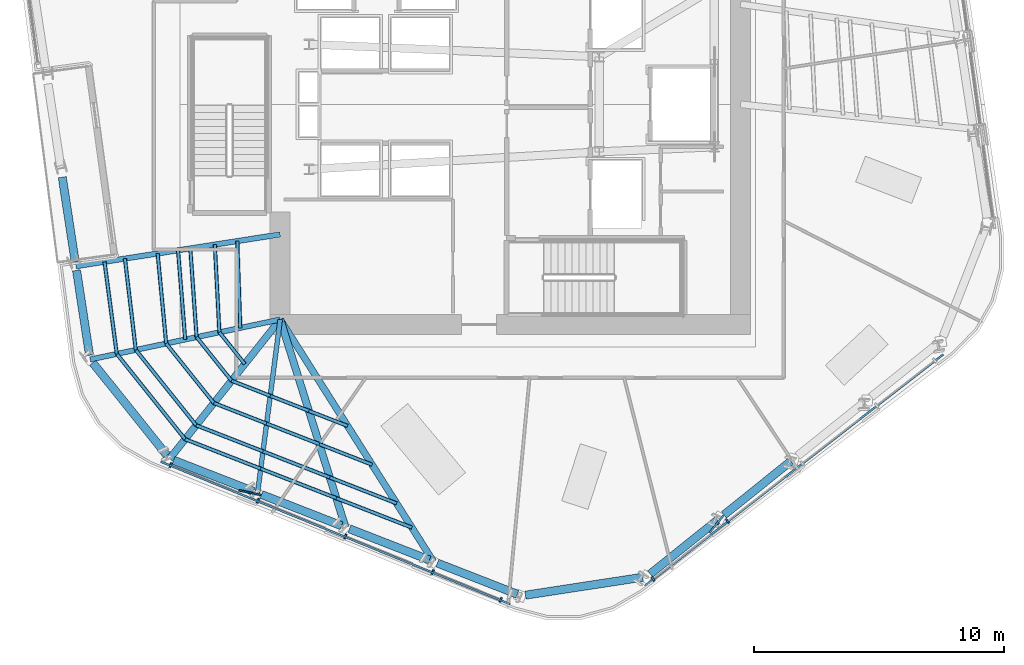
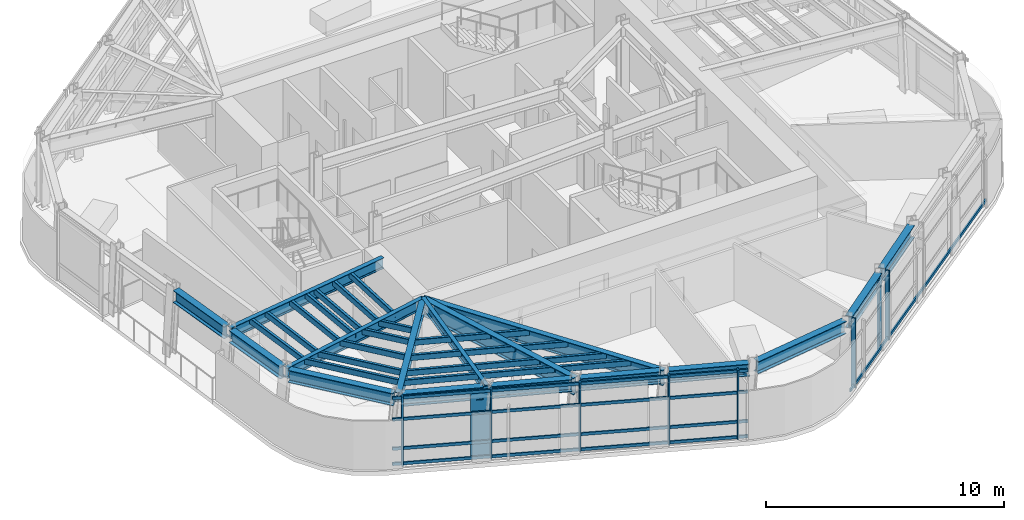
# One storey, part 2 of 15: 38 members, 16 beams, 2 elements without a shape of their own.
"""IFC4 building model written with IfcOpenShell, lengths in metres."""

from ifc_helpers import new_model, si_unit, direction, frame, origin, origin_2d, place, context, subcontext, project, spatial, rectangle, hollow_rectangle, i_section, extrude, material, layer, layer_set, material_profile, profile_set, type_object, element, aggregate, save


model = new_model("IFC4")

# Units and contexts
model_context = context("Model", 3, precision=1e-05, world=origin(), true_north=direction((0.0, 1.0)))
body_context = subcontext(model_context, "Body", "Model", "MODEL_VIEW")
ifc_project = project(units=[si_unit("LENGTHUNIT", "METRE"), si_unit("AREAUNIT", "SQUARE_METRE"), si_unit("VOLUMEUNIT", "CUBIC_METRE"), si_unit("PLANEANGLEUNIT", "RADIAN"), si_unit("MASSUNIT", "GRAM", prefix="KILO")], contexts=[model_context])

# Site, building, storey
site_placement = place(None, origin())
site = spatial("IfcSite", under=ifc_project, at=site_placement, CompositionType="ELEMENT")
building_placement = place(site_placement, origin())
building = spatial("IfcBuilding", under=site, at=building_placement, Name="Valkerne Bourse Tower", CompositionType="ELEMENT")
storey_placement = place(building_placement, frame((0.0, 0.0, 185.60009765625)))
storey = spatial("IfcBuildingStorey", under=building, at=storey_placement, Name="L47", CompositionType="ELEMENT", Elevation=185.60009765625)

# Beams
ifc_material_1 = material(Name="Steel ASTM A992", Category="steel")
ifc_material_profile_1 = material_profile(ifc_material_1, i_section(OverallWidth=0.1904296875, OverallDepth=0.457275390625, WebThickness=0.009033203125, FlangeThickness=0.014404296875, FilletRadius=0.01513671875, at=origin_2d()), Name="W18X50")
ifc_profile_set_1 = profile_set([ifc_material_profile_1], Name="Steel ASTM A992")
beam_type_1 = type_object("IfcBeamType", Name="BM-W18X50", PredefinedType="JOIST", material=ifc_profile_set_1)
beam_1_placement = place(storey_placement, frame((36.696044921875, 11.4658203125, 3.351318359375), z_axis=(0.129283958551, 0.991607612951, 0.0), x_axis=(-0.991607612951, 0.129283958551, 0.0)))
element("IfcBeam", 1, at=beam_1_placement, inside=storey, type_object=beam_type_1, Name="L47 Radial Composite Floor Beam 16", PredefinedType="JOIST", context=body_context, shape_type="SweptSolid", body=[
    extrude(i_section(OverallWidth=0.1904296875, OverallDepth=0.457275390625, WebThickness=0.009033203125, FlangeThickness=0.014404296875, FilletRadius=0.01513671875, at=origin_2d()), origin(), (0.0, 0.0, 1.0), 6.99267578125),
])
ifc_material_profile_2 = material_profile(ifc_material_1, i_section(OverallWidth=0.279296875, OverallDepth=0.46240234375, WebThickness=0.0107421875, FlangeThickness=0.017333984375, FilletRadius=0.017822265625, at=origin_2d()), Name="W18X76")
ifc_profile_set_2 = profile_set([ifc_material_profile_2], Name="Steel ASTM A992")
beam_type_2 = type_object("IfcBeamType", Name="BM-W18X76", PredefinedType="BEAM", material=ifc_profile_set_2)
beam_2_placement = place(storey_placement, frame((33.1826171875, 12.835693359375, 3.3486328125), z_axis=(0.621782346205, 0.783190088004, 0.0), x_axis=(-0.783190088004, 0.621782346205, 0.0)))
element("IfcBeam", 2, at=beam_2_placement, inside=storey, type_object=beam_type_2, Name="L47 Radial Composite Floor Beam 15", PredefinedType="BEAM", context=body_context, shape_type="SweptSolid", body=[
    extrude(i_section(OverallWidth=0.279296875, OverallDepth=0.46240234375, WebThickness=0.0107421875, FlangeThickness=0.017333984375, FilletRadius=0.017822265625, at=origin_2d()), origin(), (0.0, 0.0, 1.0), 7.1044921875),
])
ifc_material_profile_3 = material_profile(ifc_material_1, i_section(OverallWidth=0.209228515625, OverallDepth=0.533447265625, WebThickness=0.01025390625, FlangeThickness=0.015625, FilletRadius=0.017822265625, at=origin_2d()), Name="W21X62")
ifc_profile_set_3 = profile_set([ifc_material_profile_3], Name="Steel ASTM A992")
beam_type_3 = type_object("IfcBeamType", Name="BM-W21X62", PredefinedType="JOIST", material=ifc_profile_set_3)
beam_3_placement = place(storey_placement, frame((30.00634765625, 16.80029296875, 3.313232421875), z_axis=(0.978525745374, 0.206124636178, 0.0), x_axis=(-0.206124636178, 0.978525745374, 0.0)))
element("IfcBeam", 3, at=beam_3_placement, inside=storey, type_object=beam_type_3, Name="L47 Radial Composite Floor Beam 14", PredefinedType="JOIST", context=body_context, shape_type="SweptSolid", body=[
    extrude(i_section(OverallWidth=0.209228515625, OverallDepth=0.533447265625, WebThickness=0.01025390625, FlangeThickness=0.015625, FilletRadius=0.017822265625, at=origin_2d()), origin(), (0.0, 0.0, 1.0), 7.760498046875),
])
ifc_material_profile_4 = material_profile(ifc_material_1, i_section(OverallWidth=0.2138671875, OverallDepth=0.548583984375, WebThickness=0.0146484375, FlangeThickness=0.023681640625, FilletRadius=0.017822265625, at=origin_2d()), Name="W21X93")
ifc_profile_set_4 = profile_set([ifc_material_profile_4], Name="Steel ASTM A992")
beam_type_4 = type_object("IfcBeamType", Name="BM-W21X93", PredefinedType="BEAM", material=ifc_profile_set_4)
beam_4_placement = place(storey_placement, frame((29.435791015625, 20.528076171875, 3.3056640625), z_axis=(0.988080241526, 0.153939716466, 0.0), x_axis=(-0.153939716466, 0.988080241526, 0.0)))
element("IfcBeam", 4, at=beam_4_placement, inside=storey, type_object=beam_type_4, Name="L47 Radial Composite Floor Beam 13", PredefinedType="BEAM", context=body_context, shape_type="SweptSolid", body=[
    extrude(i_section(OverallWidth=0.2138671875, OverallDepth=0.548583984375, WebThickness=0.0146484375, FlangeThickness=0.023681640625, FilletRadius=0.017822265625, at=origin_2d()), origin(), (0.0, 0.0, 1.0), 8.2626953125),
])
ifc_material_profile_5 = material_profile(ifc_material_1, i_section(OverallWidth=0.32763671875, OverallDepth=0.62744140625, WebThickness=0.0166015625, FlangeThickness=0.027587890625, FilletRadius=0.020263671875, at=origin_2d()), Name="W24X146")
ifc_profile_set_5 = profile_set([ifc_material_profile_5], Name="Steel ASTM A992")
beam_type_5 = type_object("IfcBeamType", Name="BM-W24X146", PredefinedType="SPANDREL", material=ifc_profile_set_5)
for number, where, z_axis, x_axis, name in (
    (5, (28.89111328125, 24.087646484375, 3.26611328125), (0.151276483407, -0.988491489881, 0.0), (0.988491489881, 0.151276483407, 0.0), "L47 Hexagonal Spandrel Ring Beam 12"),
    (6, (29.461669921875, 20.360107421875, 3.26611328125), (0.151276483407, -0.988491489881, 0.0), (0.988491489881, 0.151276483407, 0.0), "L47 Hexagonal Spandrel Ring Beam 13"),
):
    element("IfcBeam", number, at=place(storey_placement, frame(where, z_axis=z_axis, x_axis=x_axis)), inside=storey, type_object=beam_type_5, Name=name, PredefinedType="SPANDREL", context=body_context, shape_type="SweptSolid", body=[
        extrude(i_section(OverallWidth=0.32763671875, OverallDepth=0.62744140625, WebThickness=0.0166015625, FlangeThickness=0.027587890625, FilletRadius=0.020263671875, at=origin_2d()), origin(), (0.0, 0.0, 1.0), 3.43115234375),
    ])
beam_5_placement = place(storey_placement, frame((30.112548828125, 16.667724609375, 3.26611328125), z_axis=(0.625272739361, -0.780406305338, 0.0), x_axis=(0.780406305338, 0.625272739361, 0.0)))
element("IfcBeam", 7, at=beam_5_placement, inside=storey, type_object=beam_type_5, Name="L47 Hexagonal Spandrel Ring Beam 14", PredefinedType="SPANDREL", context=body_context, shape_type="SweptSolid", body=[
    extrude(i_section(OverallWidth=0.32763671875, OverallDepth=0.62744140625, WebThickness=0.0166015625, FlangeThickness=0.027587890625, FilletRadius=0.020263671875, at=origin_2d()), origin(), (0.0, 0.0, 1.0), 4.740234375),
])
for number, where, z_axis, x_axis, name in (
    (8, (33.341064453125, 12.77392578125, 3.26611328125), (0.931685143825, -0.363266834127, 0.0), (0.363266834127, 0.931685143825, 0.0), "L47 Hexagonal Spandrel Ring Beam 15"),
    (9, (36.8544921875, 11.404052734375, 3.26611328125), (0.931709226194, -0.363205063049, 0.0), (0.363205063049, 0.931709226194, 0.0), "L47 Hexagonal Spandrel Ring Beam 16"),
    (10, (40.367919921875, 10.0341796875, 3.26611328125), (0.931709226194, -0.363205063049, 0.0), (0.363205063049, 0.931709226194, 0.0), "L47 Hexagonal Spandrel Ring Beam 17"),
    (11, (43.88134765625, 8.66455078125, 3.26611328125), (0.931685143825, -0.363266834127, 0.0), (0.363266834127, 0.931685143825, 0.0), "L47 Hexagonal Spandrel Ring Beam 18"),
):
    element("IfcBeam", number, at=place(storey_placement, frame(where, z_axis=z_axis, x_axis=x_axis)), inside=storey, type_object=beam_type_5, Name=name, PredefinedType="SPANDREL", context=body_context, shape_type="SweptSolid", body=[
        extrude(i_section(OverallWidth=0.32763671875, OverallDepth=0.62744140625, WebThickness=0.0166015625, FlangeThickness=0.027587890625, FilletRadius=0.020263671875, at=origin_2d()), origin(), (0.0, 0.0, 1.0), 3.430908203125),
    ])
beam_6_placement = place(storey_placement, frame((47.404296875, 7.382080078125, 3.26611328125), z_axis=(0.988492259393, 0.151271455077, 0.0), x_axis=(-0.151271455077, 0.988492259393, 0.0)))
element("IfcBeam", 12, at=beam_6_placement, inside=storey, type_object=beam_type_5, Name="L47 Hexagonal Spandrel Ring Beam 19", PredefinedType="SPANDREL", context=body_context, shape_type="SweptSolid", body=[
    extrude(i_section(OverallWidth=0.32763671875, OverallDepth=0.62744140625, WebThickness=0.0166015625, FlangeThickness=0.027587890625, FilletRadius=0.020263671875, at=origin_2d()), origin(), (0.0, 0.0, 1.0), 4.739990234375),
])
for number, where, z_axis, x_axis, name in (
    (13, (52.390625, 8.231201171875, 3.26611328125), (0.780403454495, 0.625276297497, 0.0), (-0.625276297497, 0.780403454495, 0.0), "L47 Hexagonal Spandrel Ring Beam 20"),
    (14, (55.33349609375, 10.589111328125, 3.26611328125), (0.780465994483, 0.625198233728, 0.0), (-0.625198233728, 0.780465994483, 0.0), "L47 Hexagonal Spandrel Ring Beam 21"),
):
    element("IfcBeam", number, at=place(storey_placement, frame(where, z_axis=z_axis, x_axis=x_axis)), inside=storey, type_object=beam_type_5, Name=name, PredefinedType="SPANDREL", context=body_context, shape_type="SweptSolid", body=[
        extrude(i_section(OverallWidth=0.32763671875, OverallDepth=0.62744140625, WebThickness=0.0166015625, FlangeThickness=0.027587890625, FilletRadius=0.020263671875, at=origin_2d()), origin(), (0.0, 0.0, 1.0), 3.430908203125),
    ])
ifc_material_profile_6 = material_profile(ifc_material_1, i_section(OverallWidth=0.26806640625, OverallDepth=0.76953125, WebThickness=0.015625, FlangeThickness=0.025390625, FilletRadius=0.025390625, at=origin_2d()), Name="W30X132")
ifc_profile_set_6 = profile_set([ifc_material_profile_6], Name="Steel ASTM A992")
beam_type_6 = type_object("IfcBeamType", Name="BM-W30X132", PredefinedType="BEAM", material=ifc_profile_set_6)
beam_7_placement = place(storey_placement, frame((43.722900390625, 8.726318359375, 3.195068359375), z_axis=(-0.534815132071, 0.844969096777, 0.0), x_axis=(-0.844969096777, -0.534815132071, 0.0)))
element("IfcBeam", 15, at=beam_7_placement, inside=storey, type_object=beam_type_6, Name="L47 Radial Composite Floor Beam 18", PredefinedType="BEAM", context=body_context, shape_type="SweptSolid", body=[
    extrude(i_section(OverallWidth=0.26806640625, OverallDepth=0.76953125, WebThickness=0.015625, FlangeThickness=0.025390625, FilletRadius=0.025390625, at=origin_2d()), origin(), (0.0, 0.0, 1.0), 11.448486328125),
])
ifc_material_profile_7 = material_profile(ifc_material_1, i_section(OverallWidth=0.2919921875, OverallDepth=0.8583984375, WebThickness=0.01708984375, FlangeThickness=0.031005859375, FilletRadius=0.025390625, at=origin_2d()), Name="W33X169")
ifc_profile_set_7 = profile_set([ifc_material_profile_7], Name="Steel ASTM A992")
beam_type_7 = type_object("IfcBeamType", Name="BM-W33X169", PredefinedType="BEAM", material=ifc_profile_set_7)
beam_8_placement = place(storey_placement, frame((40.20947265625, 10.09619140625, 3.150634765625), z_axis=(-0.2997886698, 0.954005635968, 0.0), x_axis=(-0.954005635968, -0.2997886698, 0.0)))
element("IfcBeam", 16, at=beam_8_placement, inside=storey, type_object=beam_type_7, Name="L47 Radial Composite Floor Beam 17", PredefinedType="BEAM", context=body_context, shape_type="SweptSolid", body=[
    extrude(i_section(OverallWidth=0.2919921875, OverallDepth=0.8583984375, WebThickness=0.01708984375, FlangeThickness=0.031005859375, FilletRadius=0.025390625, at=origin_2d()), origin(), (0.0, 0.0, 1.0), 8.7041015625),
])

# Curtain wall, members
ifc_material_2 = material(Name="Aluminium AA 6063-T6", Category="aluminium")
ifc_layer = layer(ifc_material_2, 0.235107421875)
ifc_layer_set = layer_set([ifc_layer], Name="Aluminium AA 6063-T6")
curtain_wall_type = type_object("IfcCurtainWallType", Name="CW-03", PredefinedType="NOTDEFINED", material=ifc_layer_set)
curtain_wall_1_placement = place(storey_placement, origin())
curtain_wall_1 = element("IfcCurtainWall", 17, at=curtain_wall_1_placement, inside=storey, type_object=curtain_wall_type, Name="L47 Hexagonal Stick Curtain Wall Face 4", PredefinedType="NOTDEFINED")
ifc_material_profile_8 = material_profile(ifc_material_2, rectangle(XDim=0.074951171875, YDim=0.199951171875, at=origin_2d()), Name="CWM-75X200")
ifc_profile_set_8 = profile_set([ifc_material_profile_8], Name="Aluminium AA 6063-T6")
member_type_1 = type_object("IfcMemberType", Name="CW-MUL-220X75", PredefinedType="MULLION", material=ifc_profile_set_8)
member_1_placement = place(storey_placement, frame((33.22216796875, 12.577880859375, 0.0), z_axis=(0.0, 0.0, 1.0), x_axis=(0.925875664448, -0.377828339307, 0.0)))
member_1 = element("IfcMember", 18, at=member_1_placement, type_object=member_type_1, Name="CW-L47-F4 Jamb Mullion 00A", PredefinedType="MULLION", context=body_context, shape_type="SweptSolid", body=[
    extrude(rectangle(XDim=0.074951171875, YDim=0.199951171875, at=origin_2d()), origin(), (0.0, 0.0, 1.0), 3.579833984375),
])
member_2_placement = place(storey_placement, frame((36.713623046875, 11.153076171875, 0.0), z_axis=(0.0, 0.0, 1.0), x_axis=(0.925862601572, -0.377860348556, 0.0)))
member_2 = element("IfcMember", 19, at=member_2_placement, type_object=member_type_1, Name="CW-L47-F4 Jamb Mullion 01A", PredefinedType="MULLION", context=body_context, shape_type="SweptSolid", body=[
    extrude(rectangle(XDim=0.074951171875, YDim=0.199951171875, at=origin_2d()), origin(), (0.0, 0.0, 1.0), 3.579833984375),
])
member_3_placement = place(storey_placement, frame((40.205078125, 9.728271484375, 0.0), z_axis=(0.0, 0.0, 1.0), x_axis=(0.925875664448, -0.377828339307, 0.0)))
member_3 = element("IfcMember", 20, at=member_3_placement, type_object=member_type_1, Name="CW-L47-F4 Jamb Mullion 02A", PredefinedType="MULLION", context=body_context, shape_type="SweptSolid", body=[
    extrude(rectangle(XDim=0.074951171875, YDim=0.199951171875, at=origin_2d()), origin(), (0.0, 0.0, 1.0), 3.579833984375),
])
member_4_placement = place(storey_placement, frame((43.696533203125, 8.303466796875, 0.0), z_axis=(0.0, 0.0, 1.0), x_axis=(0.925866387681, -0.377851071406, 0.0)))
member_4 = element("IfcMember", 21, at=member_4_placement, type_object=member_type_1, Name="CW-L47-F4 Jamb Mullion 03A", PredefinedType="MULLION", context=body_context, shape_type="SweptSolid", body=[
    extrude(rectangle(XDim=0.074951171875, YDim=0.199951171875, at=origin_2d()), origin(), (0.0, 0.0, 1.0), 3.579833984375),
])
member_5_placement = place(storey_placement, frame((46.410400390625, 7.19580078125, 0.0), z_axis=(0.0, 0.0, 1.0), x_axis=(0.925866387681, -0.377851071406, 0.0)))
member_5 = element("IfcMember", 22, at=member_5_placement, type_object=member_type_1, Name="CW-L47-F4 Jamb Mullion 03B", PredefinedType="MULLION", context=body_context, shape_type="SweptSolid", body=[
    extrude(rectangle(XDim=0.074951171875, YDim=0.199951171875, at=origin_2d()), origin(), (0.0, 0.0, 1.0), 3.579833984375),
])

curtain_wall_2_placement = place(storey_placement, origin())
curtain_wall_2 = element("IfcCurtainWall", 23, at=curtain_wall_2_placement, inside=storey, type_object=curtain_wall_type, Name="L47 Hexagonal Stick Curtain Wall Face 5", PredefinedType="NOTDEFINED")
member_6_placement = place(storey_placement, frame((52.501220703125, 8.0302734375, 0.0), z_axis=(0.0, 0.0, 1.0), x_axis=(0.790144053744, 0.612921181174, 0.0)))
member_6 = element("IfcMember", 24, at=member_6_placement, type_object=member_type_1, Name="CW-L47-F5 Jamb Mullion 00A", PredefinedType="MULLION", context=body_context, shape_type="SweptSolid", body=[
    extrude(rectangle(XDim=0.074951171875, YDim=0.199951171875, at=origin_2d()), origin(), (0.0, 0.0, 1.0), 3.579833984375),
])
member_7_placement = place(storey_placement, frame((55.480712890625, 10.341552734375, 0.0), z_axis=(0.0, 0.0, 1.0), x_axis=(0.790166858134, 0.612891781889, 0.0)))
member_7 = element("IfcMember", 25, at=member_7_placement, type_object=member_type_1, Name="CW-L47-F5 Jamb Mullion 01A", PredefinedType="MULLION", context=body_context, shape_type="SweptSolid", body=[
    extrude(rectangle(XDim=0.074951171875, YDim=0.199951171875, at=origin_2d()), origin(), (0.0, 0.0, 1.0), 3.579833984375),
])

# Member
ifc_material_profile_9 = material_profile(ifc_material_2, rectangle(XDim=0.074951171875, YDim=0.14990234375, at=origin_2d()), Name="CWT-75X150")
ifc_profile_set_9 = profile_set([ifc_material_profile_9], Name="Aluminium AA 6063-T6")
member_type_2 = type_object("IfcMemberType", Name="CW-TRN-180X65", PredefinedType="USERDEFINED", material=ifc_profile_set_9)
member_8_placement = place(storey_placement, frame((32.82568359375, 12.718017578125, 0.119873046875), z_axis=(0.925875839583, -0.377827910134, 0.0), x_axis=(0.377827910134, 0.925875839583, 0.0)))
member_8 = element("IfcMember", 26, at=member_8_placement, type_object=member_type_2, Name="CW-L47-F4 Continuous Face Transom 1", ObjectType="TRANSOM", PredefinedType="USERDEFINED", context=body_context, shape_type="SweptSolid", body=[
    extrude(rectangle(XDim=0.074951171875, YDim=0.14990234375, at=origin_2d()), origin(), (0.0, 0.0, 1.0), 15.084228515625),
])

member_9_placement = place(storey_placement, frame((32.82568359375, 12.718017578125, 0.89990234375), z_axis=(0.925875839583, -0.377827910134, 0.0), x_axis=(0.377827910134, 0.925875839583, 0.0)))
member_9 = element("IfcMember", 27, at=member_9_placement, type_object=member_type_2, Name="CW-L47-F4 Continuous Face Transom 2", ObjectType="TRANSOM", PredefinedType="USERDEFINED", context=body_context, shape_type="SweptSolid", body=[
    extrude(rectangle(XDim=0.074951171875, YDim=0.14990234375, at=origin_2d()), origin(), (0.0, 0.0, 1.0), 15.084228515625),
])

member_10_placement = place(storey_placement, frame((32.82568359375, 12.718017578125, 2.39990234375), z_axis=(0.925875839583, -0.377827910134, 0.0), x_axis=(0.377827910134, 0.925875839583, 0.0)))
member_10 = element("IfcMember", 28, at=member_10_placement, type_object=member_type_2, Name="CW-L47-F4 Continuous Face Transom 3", ObjectType="TRANSOM", PredefinedType="USERDEFINED", context=body_context, shape_type="SweptSolid", body=[
    extrude(rectangle(XDim=0.074951171875, YDim=0.14990234375, at=origin_2d()), origin(), (0.0, 0.0, 1.0), 15.084228515625),
])

member_11_placement = place(storey_placement, frame((32.82568359375, 12.718017578125, 3.5), z_axis=(0.925875839583, -0.377827910134, 0.0), x_axis=(0.377827910134, 0.925875839583, 0.0)))
member_11 = element("IfcMember", 29, at=member_11_placement, type_object=member_type_2, Name="CW-L47-F4 Continuous Face Transom 4", ObjectType="TRANSOM", PredefinedType="USERDEFINED", context=body_context, shape_type="SweptSolid", body=[
    extrude(rectangle(XDim=0.074951171875, YDim=0.14990234375, at=origin_2d()), origin(), (0.0, 0.0, 1.0), 15.084228515625),
])

aggregate(curtain_wall_1, [member_8, member_9, member_10, member_11, member_1, member_2, member_3, member_4, member_5])

member_12_placement = place(storey_placement, frame((52.181396484375, 7.757080078125, 0.119873046875), z_axis=(0.790154213245, 0.612908083885, 0.0), x_axis=(-0.612908083885, 0.790154213245, 0.0)))
member_12 = element("IfcMember", 30, at=member_12_placement, type_object=member_type_2, Name="CW-L47-F5 Continuous Face Transom 1", ObjectType="TRANSOM", PredefinedType="USERDEFINED", context=body_context, shape_type="SweptSolid", body=[
    extrude(rectangle(XDim=0.074951171875, YDim=0.14990234375, at=origin_2d()), origin(), (0.0, 0.0, 1.0), 15.083984375),
])

aggregate(curtain_wall_2, [member_12, member_6, member_7])

# Members
ifc_material_3 = material(Name="Bronze Anodised Aluminium AA 6063-T6", Category="aluminium")
ifc_material_profile_10 = material_profile(ifc_material_3, rectangle(XDim=0.070068359375, YDim=0.89990234375, at=origin_2d()), Name="FIN-70X900")
ifc_profile_set_10 = profile_set([ifc_material_profile_10], Name="Bronze Anodised Aluminium AA 6063-T6")
member_type_3 = type_object("IfcMemberType", Name="FIN-SOLAR-900", PredefinedType="USERDEFINED", material=ifc_profile_set_10)
for number, where, z_axis, x_axis, name in (
    (31, (36.392822265625, 11.478515625, 0.00390625), (0.0, 0.0, 1.0), (-0.203615654389, -0.979050900254, 0.0), "L47 Bronze Anodised Solar Fin F4-01"),
    (32, (55.03857421875, 10.226318359375, 0.00390625), (0.0, 0.0, 1.0), (0.778143778143, -0.628086188781, 0.0), "L47 Bronze Anodised Solar Fin F5-01"),
):
    element("IfcMember", number, at=place(storey_placement, frame(where, z_axis=z_axis, x_axis=x_axis)), inside=storey, type_object=member_type_3, Name=name, ObjectType="SOLAR_FIN", PredefinedType="USERDEFINED", context=body_context, shape_type="SweptSolid", body=[
        extrude(rectangle(XDim=0.070068359375, YDim=0.89990234375, at=origin_2d()), origin(), (0.0, 0.0, 1.0), 3.572021484375),
    ])
ifc_material_4 = material(Name="Steel ASTM A500 Grade C", Category="steel")
ifc_material_profile_11 = material_profile(ifc_material_4, hollow_rectangle(XDim=0.14990234375, YDim=0.300048828125, WallThickness=0.012451171875, OuterFilletRadius=0.02490234375, at=origin_2d()), Name="HSS300X150X12.5")
ifc_profile_set_11 = profile_set([ifc_material_profile_11], Name="Steel ASTM A500 Grade C")
member_type_4 = type_object("IfcMemberType", Name="MBR-HSS300X150X12.5", PredefinedType="PURLIN", material=ifc_profile_set_11)
member_13_placement = place(storey_placement, frame((34.987548828125, 21.39306640625, 3.419921875), z_axis=(0.051963693512, -0.998648974644, 0.0), x_axis=(0.998648974644, 0.051963693512, 0.0)))
element("IfcMember", 33, at=member_13_placement, inside=storey, type_object=member_type_4, Name="L47 Secondary Composite Floor Purlin I-13", PredefinedType="PURLIN", context=body_context, shape_type="SweptSolid", body=[
    extrude(hollow_rectangle(XDim=0.14990234375, YDim=0.300048828125, WallThickness=0.012451171875, OuterFilletRadius=0.02490234375, at=origin_2d()), origin(), (0.0, 0.0, 1.0), 3.509521484375),
])
member_14_placement = place(storey_placement, frame((35.169921875, 17.88818359375, 3.419921875), z_axis=(0.625189409568, -0.780473063061, 0.0), x_axis=(0.780473063061, 0.625189409568, 0.0)))
element("IfcMember", 34, at=member_14_placement, inside=storey, type_object=member_type_4, Name="L47 Secondary Composite Floor Purlin I-14", PredefinedType="PURLIN", context=body_context, shape_type="SweptSolid", body=[
    extrude(hollow_rectangle(XDim=0.14990234375, YDim=0.300048828125, WallThickness=0.012451171875, OuterFilletRadius=0.02490234375, at=origin_2d()), origin(), (0.0, 0.0, 1.0), 1.625732421875),
])
member_15_placement = place(storey_placement, frame((34.0078125, 21.240234375, 3.419921875), z_axis=(0.070641486577, -0.99750176961, 0.0), x_axis=(0.99750176961, 0.070641486577, 0.0)))
element("IfcMember", 35, at=member_15_placement, inside=storey, type_object=member_type_4, Name="L47 Secondary Composite Floor Purlin K-13", PredefinedType="PURLIN", context=body_context, shape_type="SweptSolid", body=[
    extrude(hollow_rectangle(XDim=0.14990234375, YDim=0.300048828125, WallThickness=0.012451171875, OuterFilletRadius=0.02490234375, at=origin_2d()), origin(), (0.0, 0.0, 1.0), 3.552734375),
])
member_16_placement = place(storey_placement, frame((34.2587890625, 17.6962890625, 3.419921875), z_axis=(0.625227727309, -0.780442367509, 0.0), x_axis=(0.780442367509, 0.625227727309, 0.0)))
element("IfcMember", 36, at=member_16_placement, inside=storey, type_object=member_type_4, Name="L47 Secondary Composite Floor Purlin K-14", PredefinedType="PURLIN", context=body_context, shape_type="SweptSolid", body=[
    extrude(hollow_rectangle(XDim=0.14990234375, YDim=0.300048828125, WallThickness=0.012451171875, OuterFilletRadius=0.02490234375, at=origin_2d()), origin(), (0.0, 0.0, 1.0), 2.235107421875),
])
for number, where, z_axis, x_axis, name in (
    (37, (35.65625, 15.951904296875, 3.419921875), (0.931678460956, -0.363283973484, 0.0), (0.363283973484, 0.931678460956, 0.0), "L47 Secondary Composite Floor Purlin K-15"),
    (38, (37.2021484375, 15.34912109375, 3.419921875), (0.931678460956, -0.363283973484, 0.0), (0.363283973484, 0.931678460956, 0.0), "L47 Secondary Composite Floor Purlin K-16"),
):
    element("IfcMember", number, at=place(storey_placement, frame(where, z_axis=z_axis, x_axis=x_axis)), inside=storey, type_object=member_type_4, Name=name, PredefinedType="PURLIN", context=body_context, shape_type="SweptSolid", body=[
        extrude(hollow_rectangle(XDim=0.14990234375, YDim=0.300048828125, WallThickness=0.012451171875, OuterFilletRadius=0.02490234375, at=origin_2d()), origin(), (0.0, 0.0, 1.0), 1.6591796875),
    ])
member_17_placement = place(storey_placement, frame((38.748046875, 14.746337890625, 3.419921875), z_axis=(0.931697875551, -0.363234178862, 0.0), x_axis=(0.363234178862, 0.931697875551, 0.0)))
element("IfcMember", 39, at=member_17_placement, inside=storey, type_object=member_type_4, Name="L47 Secondary Composite Floor Purlin K-17", PredefinedType="PURLIN", context=body_context, shape_type="SweptSolid", body=[
    extrude(hollow_rectangle(XDim=0.14990234375, YDim=0.300048828125, WallThickness=0.012451171875, OuterFilletRadius=0.02490234375, at=origin_2d()), origin(), (0.0, 0.0, 1.0), 1.659423828125),
])
member_18_placement = place(storey_placement, frame((33.517822265625, 21.1640625, 3.419921875), z_axis=(0.07982392769, -0.996808978976, 0.0), x_axis=(0.996808978976, 0.07982392769, 0.0)))
element("IfcMember", 40, at=member_18_placement, inside=storey, type_object=member_type_4, Name="L47 Secondary Composite Floor Purlin M-13", PredefinedType="PURLIN", context=body_context, shape_type="SweptSolid", body=[
    extrude(hollow_rectangle(XDim=0.14990234375, YDim=0.300048828125, WallThickness=0.012451171875, OuterFilletRadius=0.02490234375, at=origin_2d()), origin(), (0.0, 0.0, 1.0), 3.575439453125),
])
member_19_placement = place(storey_placement, frame((31.395263671875, 20.833251953125, 3.419921875), z_axis=(0.117997634423, -0.993013876172, 0.0), x_axis=(0.993013876172, 0.117997634423, 0.0)))
element("IfcMember", 41, at=member_19_placement, inside=storey, type_object=member_type_4, Name="L47 Secondary Composite Floor Purlin O-13", PredefinedType="PURLIN", context=body_context, shape_type="SweptSolid", body=[
    extrude(hollow_rectangle(XDim=0.14990234375, YDim=0.300048828125, WallThickness=0.012451171875, OuterFilletRadius=0.02490234375, at=origin_2d()), origin(), (0.0, 0.0, 1.0), 3.674560546875),
])
member_20_placement = place(storey_placement, frame((31.828857421875, 17.184326171875, 3.419921875), z_axis=(0.625250108187, -0.780424437221, 0.0), x_axis=(0.780424437221, 0.625250108187, 0.0)))
element("IfcMember", 42, at=member_20_placement, inside=storey, type_object=member_type_4, Name="L47 Secondary Composite Floor Purlin O-14", PredefinedType="PURLIN", context=body_context, shape_type="SweptSolid", body=[
    extrude(hollow_rectangle(XDim=0.14990234375, YDim=0.300048828125, WallThickness=0.012451171875, OuterFilletRadius=0.02490234375, at=origin_2d()), origin(), (0.0, 0.0, 1.0), 3.86083984375),
])
member_21_placement = place(storey_placement, frame((34.242919921875, 14.171142578125, 3.419921875), z_axis=(0.931695786043, -0.363239538419, 0.0), x_axis=(0.363239538419, 0.931695786043, 0.0)))
element("IfcMember", 43, at=member_21_placement, inside=storey, type_object=member_type_4, Name="L47 Secondary Composite Floor Purlin O-15", PredefinedType="PURLIN", context=body_context, shape_type="SweptSolid", body=[
    extrude(hollow_rectangle(XDim=0.14990234375, YDim=0.300048828125, WallThickness=0.012451171875, OuterFilletRadius=0.02490234375, at=origin_2d()), origin(), (0.0, 0.0, 1.0), 2.865966796875),
])
member_22_placement = place(storey_placement, frame((36.9130859375, 13.130126953125, 3.419921875), z_axis=(0.931684544812, -0.363268370435, 0.0), x_axis=(0.363268370435, 0.931684544812, 0.0)))
element("IfcMember", 44, at=member_22_placement, inside=storey, type_object=member_type_4, Name="L47 Secondary Composite Floor Purlin O-16", PredefinedType="PURLIN", context=body_context, shape_type="SweptSolid", body=[
    extrude(hollow_rectangle(XDim=0.14990234375, YDim=0.300048828125, WallThickness=0.012451171875, OuterFilletRadius=0.02490234375, at=origin_2d()), origin(), (0.0, 0.0, 1.0), 2.86572265625),
])
member_23_placement = place(storey_placement, frame((39.5830078125, 12.089111328125, 3.419921875), z_axis=(0.931707024597, -0.363210710631, 0.0), x_axis=(0.363210710631, 0.931707024597, 0.0)))
element("IfcMember", 45, at=member_23_placement, inside=storey, type_object=member_type_4, Name="L47 Secondary Composite Floor Purlin O-17", PredefinedType="PURLIN", context=body_context, shape_type="SweptSolid", body=[
    extrude(hollow_rectangle(XDim=0.14990234375, YDim=0.300048828125, WallThickness=0.012451171875, OuterFilletRadius=0.02490234375, at=origin_2d()), origin(), (0.0, 0.0, 1.0), 2.8662109375),
])
member_24_placement = place(storey_placement, frame((32.701416015625, 21.036865234375, 3.419921875), z_axis=(0.094738936774, -0.995502151609, 0.0), x_axis=(0.995502151609, 0.094738936774, 0.0)))
element("IfcMember", 46, at=member_24_placement, inside=storey, type_object=member_type_4, Name="L47 Secondary Composite Floor Purlin Z-13", PredefinedType="PURLIN", context=body_context, shape_type="SweptSolid", body=[
    extrude(hollow_rectangle(XDim=0.14990234375, YDim=0.300048828125, WallThickness=0.012451171875, OuterFilletRadius=0.02490234375, at=origin_2d()), origin(), (0.0, 0.0, 1.0), 3.613037109375),
])
member_25_placement = place(storey_placement, frame((33.043701171875, 17.440185546875, 3.419921875), z_axis=(0.625310226023, -0.780376269008, 0.0), x_axis=(0.780376269008, 0.625310226023, 0.0)))
element("IfcMember", 47, at=member_25_placement, inside=storey, type_object=member_type_4, Name="L47 Secondary Composite Floor Purlin Z-14", PredefinedType="PURLIN", context=body_context, shape_type="SweptSolid", body=[
    extrude(hollow_rectangle(XDim=0.14990234375, YDim=0.300048828125, WallThickness=0.012451171875, OuterFilletRadius=0.02490234375, at=origin_2d()), origin(), (0.0, 0.0, 1.0), 3.048095703125),
])
for number, where, z_axis, x_axis, name in (
    (48, (34.94970703125, 15.0615234375, 3.419921875), (0.931664051977, -0.363320924601, 0.0), (0.363320924601, 0.931664051977, 0.0), "L47 Secondary Composite Floor Purlin Z-15"),
    (49, (37.0576171875, 14.239501953125, 3.419921875), (0.931700574274, -0.363227256545, 0.0), (0.363227256545, 0.931700574274, 0.0), "L47 Secondary Composite Floor Purlin Z-16"),
):
    element("IfcMember", number, at=place(storey_placement, frame(where, z_axis=z_axis, x_axis=x_axis)), inside=storey, type_object=member_type_4, Name=name, PredefinedType="PURLIN", context=body_context, shape_type="SweptSolid", body=[
        extrude(hollow_rectangle(XDim=0.14990234375, YDim=0.300048828125, WallThickness=0.012451171875, OuterFilletRadius=0.02490234375, at=origin_2d()), origin(), (0.0, 0.0, 1.0), 2.262451171875),
    ])
member_26_placement = place(storey_placement, frame((39.16552734375, 13.417724609375, 3.419921875), z_axis=(0.931678293703, -0.36328440242, 0.0), x_axis=(0.36328440242, 0.931678293703, 0.0)))
element("IfcMember", 50, at=member_26_placement, inside=storey, type_object=member_type_4, Name="L47 Secondary Composite Floor Purlin Z-17", PredefinedType="PURLIN", context=body_context, shape_type="SweptSolid", body=[
    extrude(hollow_rectangle(XDim=0.14990234375, YDim=0.300048828125, WallThickness=0.012451171875, OuterFilletRadius=0.02490234375, at=origin_2d()), origin(), (0.0, 0.0, 1.0), 2.2626953125),
])
member_27_placement = place(storey_placement, frame((35.885498046875, 21.532958984375, 3.419921875), z_axis=(0.03453737843, -0.999403406784, 0.0), x_axis=(0.999403406784, 0.03453737843, 0.0)))
element("IfcMember", 51, at=member_27_placement, inside=storey, type_object=member_type_4, Name="L47 Secondary Composite Floor Purlin S-13", PredefinedType="PURLIN", context=body_context, shape_type="SweptSolid", body=[
    extrude(hollow_rectangle(XDim=0.14990234375, YDim=0.300048828125, WallThickness=0.012451171875, OuterFilletRadius=0.02490234375, at=origin_2d()), origin(), (0.0, 0.0, 1.0), 3.470703125),
])
member_28_placement = place(storey_placement, frame((30.578857421875, 20.7060546875, 3.419921875), z_axis=(0.132056079173, -0.991242246857, 0.0), x_axis=(0.991242246857, 0.132056079173, 0.0)))
element("IfcMember", 52, at=member_28_placement, inside=storey, type_object=member_type_4, Name="L47 Secondary Composite Floor Purlin T-13", PredefinedType="PURLIN", context=body_context, shape_type="SweptSolid", body=[
    extrude(hollow_rectangle(XDim=0.14990234375, YDim=0.300048828125, WallThickness=0.012451171875, OuterFilletRadius=0.02490234375, at=origin_2d()), origin(), (0.0, 0.0, 1.0), 3.714111328125),
])
member_29_placement = place(storey_placement, frame((31.0693359375, 17.0244140625, 3.419921875), z_axis=(0.625246881751, -0.780427022123, 0.0), x_axis=(0.780427022123, 0.625246881751, 0.0)))
element("IfcMember", 53, at=member_29_placement, inside=storey, type_object=member_type_4, Name="L47 Secondary Composite Floor Purlin T-14", PredefinedType="PURLIN", context=body_context, shape_type="SweptSolid", body=[
    extrude(hollow_rectangle(XDim=0.14990234375, YDim=0.300048828125, WallThickness=0.012451171875, OuterFilletRadius=0.02490234375, at=origin_2d()), origin(), (0.0, 0.0, 1.0), 4.368896484375),
])
member_30_placement = place(storey_placement, frame((33.801025390625, 13.61474609375, 3.419921875), z_axis=(0.931696342792, -0.363238110373, 0.0), x_axis=(0.363238110373, 0.931696342792, 0.0)))
element("IfcMember", 54, at=member_30_placement, inside=storey, type_object=member_type_4, Name="L47 Secondary Composite Floor Purlin T-15", PredefinedType="PURLIN", context=body_context, shape_type="SweptSolid", body=[
    extrude(hollow_rectangle(XDim=0.14990234375, YDim=0.300048828125, WallThickness=0.012451171875, OuterFilletRadius=0.02490234375, at=origin_2d()), origin(), (0.0, 0.0, 1.0), 3.242919921875),
])
for number, where, z_axis, x_axis, name in (
    (55, (36.822509765625, 12.436767578125, 3.419921875), (0.931670863517, -0.363303457283, 0.0), (0.363303457283, 0.931670863517, 0.0), "L47 Secondary Composite Floor Purlin T-16"),
    (56, (39.843994140625, 11.258544921875, 3.419921875), (0.931706274667, -0.363212634343, 0.0), (0.363212634343, 0.931706274667, 0.0), "L47 Secondary Composite Floor Purlin T-17"),
):
    element("IfcMember", number, at=place(storey_placement, frame(where, z_axis=z_axis, x_axis=x_axis)), inside=storey, type_object=member_type_4, Name=name, PredefinedType="PURLIN", context=body_context, shape_type="SweptSolid", body=[
        extrude(hollow_rectangle(XDim=0.14990234375, YDim=0.300048828125, WallThickness=0.012451171875, OuterFilletRadius=0.02490234375, at=origin_2d()), origin(), (0.0, 0.0, 1.0), 3.2431640625),
    ])

save(model, "model.ifc")
